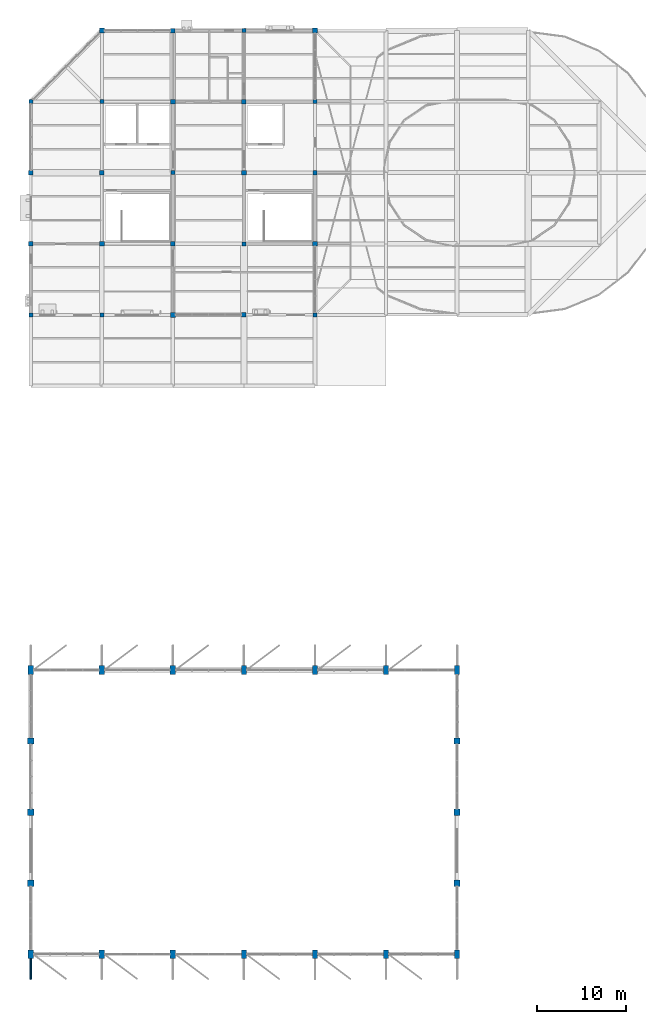
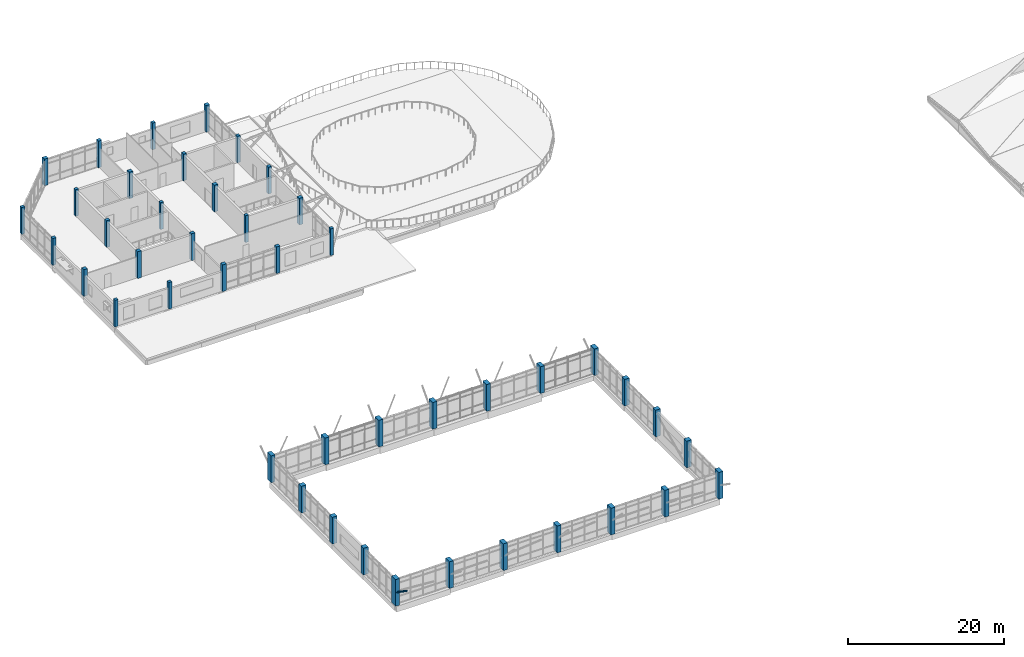
# One storey, part 1 of 44: 44 columns, 1 member.
"""IFC4 building model written with IfcOpenShell, lengths in metres."""

from ifc_helpers import new_model, si_unit, direction, frame, origin, origin_2d, place, context, subcontext, project, spatial, rectangle, hollow_circle, extrude, material, material_profile, profile_set, type_object, element, save


model = new_model("IFC4")

# Units and contexts
model_context = context("Model", 3, precision=1e-05, world=origin(), true_north=direction((0.0, 1.0)))
body_context = subcontext(model_context, "Body", "Model", "MODEL_VIEW")
ifc_project = project(units=[si_unit("LENGTHUNIT", "METRE"), si_unit("AREAUNIT", "SQUARE_METRE"), si_unit("VOLUMEUNIT", "CUBIC_METRE"), si_unit("PLANEANGLEUNIT", "RADIAN"), si_unit("MASSUNIT", "GRAM", prefix="KILO")], contexts=[model_context])

# Site, building, storey
site_placement = place(None, origin())
site = spatial("IfcSite", under=ifc_project, at=site_placement, CompositionType="ELEMENT")
building_placement = place(site_placement, origin())
building = spatial("IfcBuilding", under=site, at=building_placement, Name="Tenunan Teduh Sports Hall", CompositionType="ELEMENT")
storey_placement = place(building_placement, frame((0.0, 0.0, 19.199951171875)))
storey = spatial("IfcBuildingStorey", under=building, at=storey_placement, Name="L04", CompositionType="ELEMENT", Elevation=19.199951171875)

# Columns
ifc_material_1 = material(Name="Concrete C40/50", Category="concrete")
ifc_material_profile_1 = material_profile(ifc_material_1, rectangle(XDim=0.449951171875, YDim=0.449951171875, at=origin_2d()), Name="RC 450x450")
ifc_profile_set_1 = profile_set([ifc_material_profile_1], Name="Concrete C40/50")
column_type_1 = type_object("IfcColumnType", Name="COL-RC-450", PredefinedType="COLUMN", material=ifc_profile_set_1)
for number, where, z_axis, x_axis, name in (
    (1, (6.0, 86.0, 0.0), (0.0, 0.0, 1.0), (1.0, 0.0, 0.0), "COL-C-12-L04-011"),
    (2, (6.0, 110.0, 0.0), (0.0, 0.0, 1.0), (1.0, 0.0, 0.0), "COL-C-12-L04-014"),
    (3, (14.0, 86.0, 0.0), (0.0, 0.0, 1.0), (1.0, 0.0, 0.0), "COL-C-12-L04-023"),
    (4, (14.0, 110.0, 0.0), (0.0, 0.0, 1.0), (1.0, 0.0, 0.0), "COL-C-12-L04-026"),
    (5, (22.0, 102.0, 0.0), (0.0, 0.0, 1.0), (1.0, 0.0, 0.0), "COL-C-12-L04-038"),
    (6, (30.0, 94.0, 0.0), (0.0, 0.0, 1.0), (1.0, 0.0, 0.0), "COL-C-12-L04-047"),
    (7, (30.0, 118.0, 0.0), (0.0, 0.0, 1.0), (1.0, 0.0, 0.0), "COL-C-12-L04-050"),
    (8, (38.0, 86.0, 0.0), (0.0, 0.0, 1.0), (1.0, 0.0, 0.0), "COL-C-12-L04-056"),
    (9, (38.0, 110.0, 0.0), (0.0, 0.0, 1.0), (1.0, 0.0, 0.0), "COL-C-12-L04-059"),
):
    element("IfcColumn", number, at=place(storey_placement, frame(where, z_axis=z_axis, x_axis=x_axis)), inside=storey, type_object=column_type_1, Name=name, PredefinedType="COLUMN", context=body_context, shape_type="SweptSolid", body=[
        extrude(rectangle(XDim=0.449951171875, YDim=0.449951171875, at=origin_2d()), origin(), (0.0, 0.0, 1.0), 4.199951171875),
    ])
ifc_material_2 = material(Name="Concrete C40/50", Category="concrete")
ifc_material_profile_2 = material_profile(ifc_material_2, rectangle(XDim=0.5, YDim=0.5, at=origin_2d()), Name="RC 500x500")
ifc_profile_set_2 = profile_set([ifc_material_profile_2], Name="Concrete C40/50")
column_type_2 = type_object("IfcColumnType", Name="COL-RC-500", PredefinedType="COLUMN", material=ifc_profile_set_2)
for number, where, z_axis, x_axis, name in (
    (10, (6.0, 102.0, 0.0), (0.0, 0.0, 1.0), (1.0, 0.0, 0.0), "COL-C-11-L04-013"),
    (11, (14.0, 102.0, 0.0), (0.0, 0.0, 1.0), (1.0, 0.0, 0.0), "COL-C-11-L04-025"),
    (12, (22.0, 94.0, 0.0), (0.0, 0.0, 1.0), (1.0, 0.0, 0.0), "COL-C-11-L04-037"),
    (13, (22.0, 118.0, 0.0), (0.0, 0.0, 1.0), (1.0, 0.0, 0.0), "COL-C-11-L04-040"),
    (14, (30.0, 86.0, 0.0), (0.0, 0.0, 1.0), (1.0, 0.0, 0.0), "COL-C-11-L04-046"),
    (15, (30.0, 110.0, 0.0), (0.0, 0.0, 1.0), (1.0, 0.0, 0.0), "COL-C-11-L04-049"),
    (16, (38.0, 102.0, 0.0), (0.0, 0.0, 1.0), (1.0, 0.0, 0.0), "COL-C-11-L04-058"),
):
    element("IfcColumn", number, at=place(storey_placement, frame(where, z_axis=z_axis, x_axis=x_axis)), inside=storey, type_object=column_type_2, Name=name, PredefinedType="COLUMN", context=body_context, shape_type="SweptSolid", body=[
        extrude(rectangle(XDim=0.5, YDim=0.5, at=origin_2d()), origin(), (0.0, 0.0, 1.0), 4.199951171875),
    ])
ifc_material_3 = material(Name="Concrete C40/50", Category="concrete")
ifc_material_profile_3 = material_profile(ifc_material_3, rectangle(XDim=0.550048828125, YDim=0.550048828125, at=origin_2d()), Name="RC 550x550")
ifc_profile_set_3 = profile_set([ifc_material_profile_3], Name="Concrete C40/50")
column_type_3 = type_object("IfcColumnType", Name="COL-RC-550", PredefinedType="COLUMN", material=ifc_profile_set_3)
for number, where, z_axis, x_axis, name in (
    (17, (6.0, 94.0, 0.0), (0.0, 0.0, 1.0), (1.0, 0.0, 0.0), "COL-C-10-L04-012"),
    (18, (14.0, 94.0, 0.0), (0.0, 0.0, 1.0), (1.0, 0.0, 0.0), "COL-C-10-L04-024"),
    (19, (14.0, 118.0, 0.0), (0.0, 0.0, 1.0), (1.0, 0.0, 0.0), "COL-C-10-L04-027"),
    (20, (22.0, 86.0, 0.0), (0.0, 0.0, 1.0), (1.0, 0.0, 0.0), "COL-C-10-L04-036"),
    (21, (22.0, 110.0, 0.0), (0.0, 0.0, 1.0), (1.0, 0.0, 0.0), "COL-C-10-L04-039"),
    (22, (30.0, 102.0, 0.0), (0.0, 0.0, 1.0), (1.0, 0.0, 0.0), "COL-C-10-L04-048"),
    (23, (38.0, 94.0, 0.0), (0.0, 0.0, 1.0), (1.0, 0.0, 0.0), "COL-C-10-L04-057"),
    (24, (38.0, 118.0, 0.0), (0.0, 0.0, 1.0), (1.0, 0.0, 0.0), "COL-C-10-L04-060"),
):
    element("IfcColumn", number, at=place(storey_placement, frame(where, z_axis=z_axis, x_axis=x_axis)), inside=storey, type_object=column_type_3, Name=name, PredefinedType="COLUMN", context=body_context, shape_type="SweptSolid", body=[
        extrude(rectangle(XDim=0.550048828125, YDim=0.550048828125, at=origin_2d()), origin(), (0.0, 0.0, 1.0), 4.199951171875),
    ])
ifc_material_4 = material(Name="Concrete C40/50", Category="concrete")
ifc_material_profile_4 = material_profile(ifc_material_4, rectangle(XDim=0.60009765625, YDim=1.0, at=origin_2d()), Name="RC 600x1000")
ifc_profile_set_4 = profile_set([ifc_material_profile_4], Name="Concrete C40/50")
column_type_4 = type_object("IfcColumnType", Name="COL-RC-600x1000", PredefinedType="COLUMN", material=ifc_profile_set_4)
for number, where, z_axis, x_axis, name in (
    (25, (6.0, 14.0, 0.0), (0.0, 0.0, 1.0), (1.0, 0.0, 0.0), "COL-C-16-L04-002"),
    (26, (6.0, 46.0, 0.0), (0.0, 0.0, 1.0), (1.0, 0.0, 0.0), "COL-C-16-L04-006"),
    (27, (14.0, 14.0, 0.0), (0.0, 0.0, 1.0), (1.0, 0.0, 0.0), "COL-C-16-L04-016"),
    (28, (14.0, 46.0, 0.0), (0.0, 0.0, 1.0), (1.0, 0.0, 0.0), "COL-C-16-L04-018"),
    (29, (22.0, 14.0, 0.0), (0.0, 0.0, 1.0), (1.0, 0.0, 0.0), "COL-C-16-L04-029"),
    (30, (22.0, 46.0, 0.0), (0.0, 0.0, 1.0), (1.0, 0.0, 0.0), "COL-C-16-L04-031"),
    (31, (30.0, 14.0, 0.0), (0.0, 0.0, 1.0), (1.0, 0.0, 0.0), "COL-C-16-L04-042"),
    (32, (30.0, 46.0, 0.0), (0.0, 0.0, 1.0), (1.0, 0.0, 0.0), "COL-C-16-L04-044"),
    (33, (38.0, 14.0, 0.0), (0.0, 0.0, 1.0), (1.0, 0.0, 0.0), "COL-C-16-L04-052"),
    (34, (38.0, 46.0, 0.0), (0.0, 0.0, 1.0), (1.0, 0.0, 0.0), "COL-C-16-L04-054"),
    (35, (46.0, 14.0, 0.0), (0.0, 0.0, 1.0), (1.0, 0.0, 0.0), "COL-C-16-L04-062"),
    (36, (46.0, 46.0, 0.0), (0.0, 0.0, 1.0), (1.0, 0.0, 0.0), "COL-C-16-L04-064"),
    (37, (54.0, 14.0, 0.0), (0.0, 0.0, 1.0), (1.0, 0.0, 0.0), "COL-C-16-L04-072"),
    (38, (54.0, 46.0, 0.0), (0.0, 0.0, 1.0), (1.0, 0.0, 0.0), "COL-C-16-L04-076"),
):
    element("IfcColumn", number, at=place(storey_placement, frame(where, z_axis=z_axis, x_axis=x_axis)), inside=storey, type_object=column_type_4, Name=name, PredefinedType="COLUMN", context=body_context, shape_type="SweptSolid", body=[
        extrude(rectangle(XDim=0.60009765625, YDim=1.0, at=origin_2d()), origin(), (0.0, 0.0, 1.0), 4.199951171875),
    ])
ifc_material_5 = material(Name="Concrete C40/50", Category="concrete")
ifc_material_profile_5 = material_profile(ifc_material_5, rectangle(XDim=0.699951171875, YDim=0.699951171875, at=origin_2d()), Name="RC 700x700")
ifc_profile_set_5 = profile_set([ifc_material_profile_5], Name="Concrete C40/50")
column_type_5 = type_object("IfcColumnType", Name="COL-RC-700", PredefinedType="COLUMN", material=ifc_profile_set_5)
for number, where, z_axis, x_axis, name in (
    (39, (6.0, 22.0, 0.0), (0.0, 0.0, 1.0), (1.0, 0.0, 0.0), "COL-C-07-L04-003"),
    (40, (6.0, 30.0, 0.0), (0.0, 0.0, 1.0), (1.0, 0.0, 0.0), "COL-C-07-L04-004"),
    (41, (6.0, 38.0, 0.0), (0.0, 0.0, 1.0), (1.0, 0.0, 0.0), "COL-C-07-L04-005"),
    (42, (54.0, 22.0, 0.0), (0.0, 0.0, 1.0), (1.0, 0.0, 0.0), "COL-C-07-L04-073"),
    (43, (54.0, 30.0, 0.0), (0.0, 0.0, 1.0), (1.0, 0.0, 0.0), "COL-C-07-L04-074"),
    (44, (54.0, 38.0, 0.0), (0.0, 0.0, 1.0), (1.0, 0.0, 0.0), "COL-C-07-L04-075"),
):
    element("IfcColumn", number, at=place(storey_placement, frame(where, z_axis=z_axis, x_axis=x_axis)), inside=storey, type_object=column_type_5, Name=name, PredefinedType="COLUMN", context=body_context, shape_type="SweptSolid", body=[
        extrude(rectangle(XDim=0.699951171875, YDim=0.699951171875, at=origin_2d()), origin(), (0.0, 0.0, 1.0), 4.199951171875),
    ])

# Member
ifc_material_6 = material(Name="Steel S355", Category="steel")
ifc_material_profile_6 = material_profile(ifc_material_6, hollow_circle(Radius=0.136474609375, WallThickness=0.010009765625, at=origin_2d()), Name="CHS 273.0x10.0")
ifc_profile_set_6 = profile_set([ifc_material_profile_6], Name="Steel S355")
member_type = type_object("IfcMemberType", Name="MEM-ST-CHS273", PredefinedType="STRUT", material=ifc_profile_set_6)
member_placement = place(storey_placement, frame((6.0, 14.0, 1.800048828125), z_axis=(0.0, -0.821725060058, 0.569884133551), x_axis=(1.0, 0.0, 0.0)))
element("IfcMember", 45, at=member_placement, inside=storey, type_object=member_type, Name="MEM-VS-04-L04-0410", PredefinedType="STRUT", context=body_context, shape_type="SweptSolid", body=[
    extrude(hollow_circle(Radius=0.136474609375, WallThickness=0.010009765625, at=origin_2d()), origin(), (0.0, 0.0, 1.0), 3.407470703125),
])

save(model, "model.ifc")
